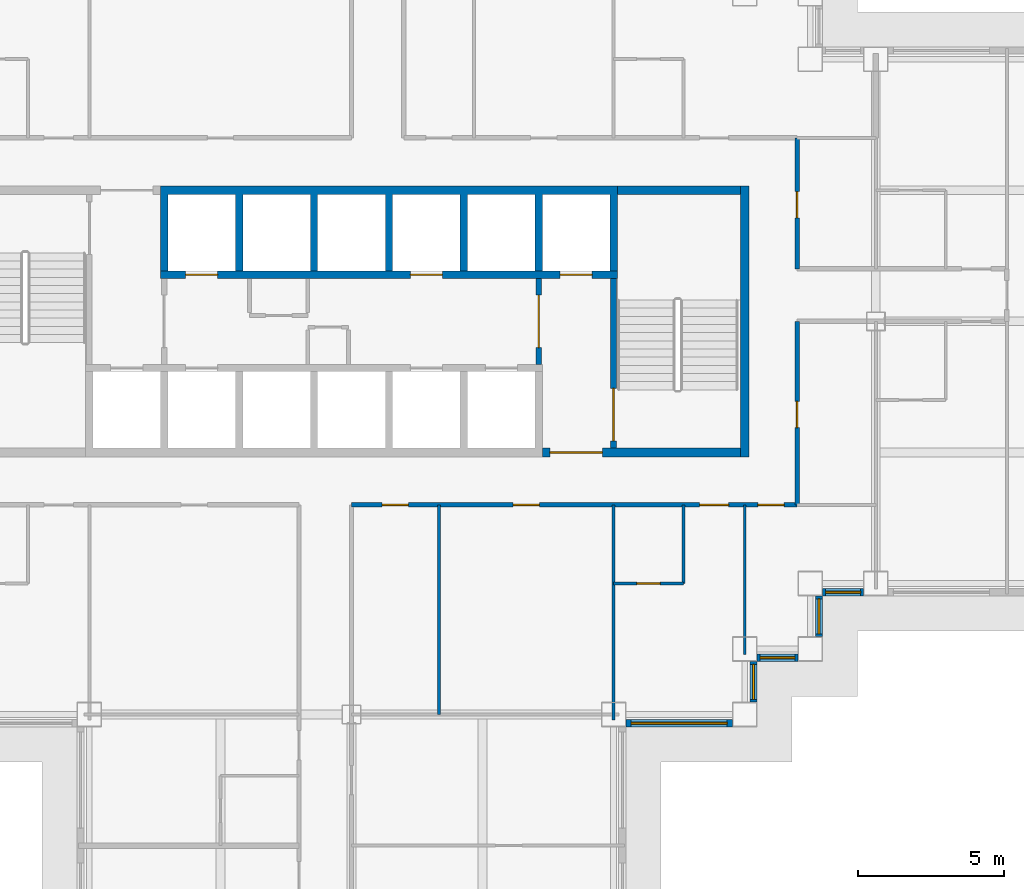
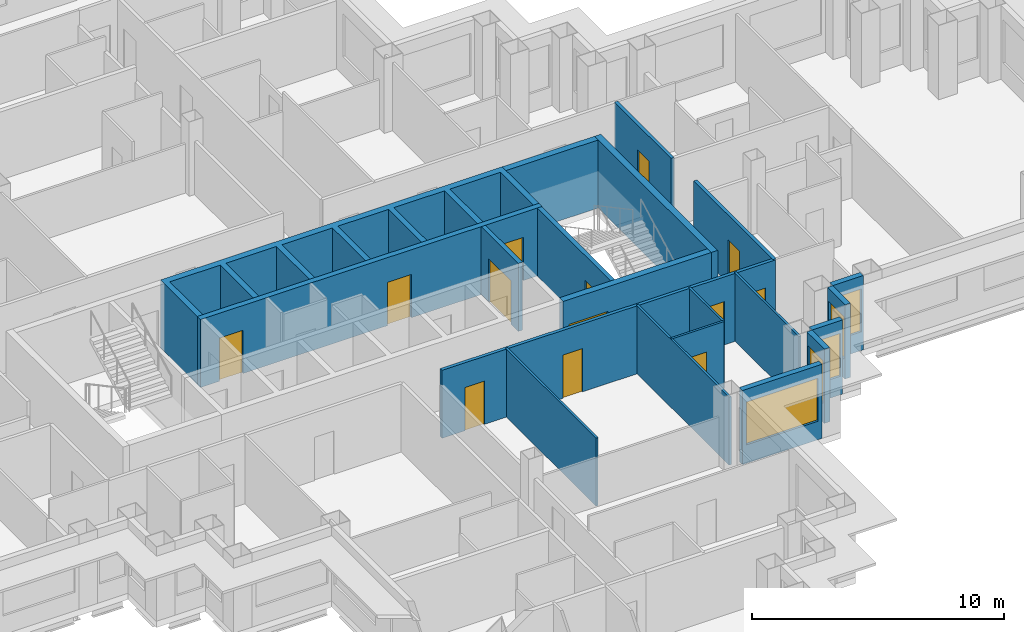
# One storey, part 7 of 16: 20 walls, 13 doors, 5 windows, 18 openings.
"""IFC4 building model written with IfcOpenShell, lengths in metres."""

from ifc_helpers import new_model, si_unit, direction, frame, frame_2d, origin, place, context, subcontext, project, spatial, polyline, rectangle, outline, extrude, material, layer, layer_set, type_object, element, fill, save


model = new_model("IFC4")

# Units and contexts
model_context = context("Model", 3, precision=1e-05, world=origin(), true_north=direction((0.0, 1.0)))
body_context = subcontext(model_context, "Body", "Model", "MODEL_VIEW")
ifc_project = project(units=[si_unit("LENGTHUNIT", "METRE"), si_unit("AREAUNIT", "SQUARE_METRE"), si_unit("VOLUMEUNIT", "CUBIC_METRE"), si_unit("PLANEANGLEUNIT", "RADIAN"), si_unit("MASSUNIT", "GRAM", prefix="KILO")], contexts=[model_context])

# Site, building, storey
site_placement = place(None, origin())
site = spatial("IfcSite", under=ifc_project, at=site_placement, CompositionType="ELEMENT")
building_placement = place(site_placement, origin())
building = spatial("IfcBuilding", under=site, at=building_placement, Name="Caravel Reach Hotel and Residences", CompositionType="ELEMENT")
storey_placement = place(building_placement, frame((0.0, 0.0, 133.199951171875)))
storey = spatial("IfcBuildingStorey", under=building, at=storey_placement, Name="L33", CompositionType="ELEMENT", Elevation=133.199951171875)

# Wall, opening, door
ifc_material_1 = material(Name="Gypsum board on steel stud", Category="steel")
ifc_layer_1 = layer(ifc_material_1, 0.10009765625)
ifc_layer_set_1 = layer_set([ifc_layer_1], Name="Bathroom pod wall 100 mm")
wall_type_1 = type_object("IfcWallType", Name="Bathroom pod wall 100 mm", PredefinedType="PARTITIONING", material=ifc_layer_set_1)
wall_1_placement = place(storey_placement, frame((40.5, 18.0, 0.0), z_axis=(0.0, 0.0, 1.0), x_axis=(1.0, 0.0, 0.0)))
wall_1 = element("IfcWall", 1, at=wall_1_placement, inside=storey, type_object=wall_type_1, Name="L33 wall w084", PredefinedType="PARTITIONING", context=body_context, shape_type="SweptSolid", body=[
    extrude(rectangle(XDim=2.39990234375, YDim=0.10009765625, at=frame_2d((1.199951171875, 0.0))), origin(), (0.0, 0.0, 1.0), 3.300048828125),
])
opening_1_placement = place(wall_1_placement, frame((0.800048828125, 0.0, 0.0)))
opening_1 = element("IfcOpeningElement", 2, at=opening_1_placement, cuts=wall_1, Name="Opening D33-055", PredefinedType="OPENING", context=body_context, shape_type="SweptSolid", body=[
    extrude(rectangle(XDim=0.800048828125, YDim=2.10009765625, at=frame_2d((0.39990234375, 1.050048828125))), frame((0.0, 0.06005859375, 0.0), z_axis=(0.0, -1.0, 0.0), x_axis=(1.0, 0.0, 0.0)), (0.0, 0.0, 1.0), 0.1201171875),
])
ifc_material_2 = material(Name="Timber and steel door leaf", Category="steel")
door_type_1 = type_object("IfcDoorType", Name="Bathroom door 800 x 2100", OperationType="SINGLE_SWING_LEFT", PredefinedType="DOOR", material=ifc_material_2)
door_1_placement = place(opening_1_placement, origin())
door_1 = element("IfcDoor", 3, at=door_1_placement, inside=storey, type_object=door_type_1, Name="door D33-055", OperationType="SINGLE_SWING_RIGHT", OverallHeight=2.10009765625, OverallWidth=0.800048828125, PredefinedType="DOOR", context=body_context, shape_type="SweptSolid", body=[
    extrude(rectangle(XDim=0.800048828125, YDim=2.10009765625, at=frame_2d((0.39990234375, 1.050048828125))), frame((0.0, 0.02490234375, 0.0), z_axis=(0.0, -1.0, 0.0), x_axis=(1.0, 0.0, 0.0)), (0.0, 0.0, 1.0), 0.050048828125),
])
fill(opening_1, door_1)

# Wall
wall_2_placement = place(storey_placement, frame((42.89990234375, 18.0, 0.0), z_axis=(0.0, 0.0, 1.0), x_axis=(0.0, 1.0, 0.0)))
element("IfcWall", 4, at=wall_2_placement, inside=storey, type_object=wall_type_1, Name="L33 wall w116", PredefinedType="PARTITIONING", context=body_context, shape_type="SweptSolid", body=[
    extrude(rectangle(XDim=2.699951171875, YDim=0.10009765625, at=frame_2d((1.35009765625, 0.0))), origin(), (0.0, 0.0, 1.0), 3.300048828125),
])

# Wall, opening, door
ifc_material_3 = material(Name="Concrete C60", Category="concrete")
ifc_layer_2 = layer(ifc_material_3, 0.300048828125)
ifc_layer_set_2 = layer_set([ifc_layer_2], Name="Core wall 300 mm EI 120")
wall_type_2 = type_object("IfcWallType", Name="Core wall 300 mm EI 120", PredefinedType="SHEAR", material=ifc_layer_set_2)
wall_3_placement = place(storey_placement, frame((38.053466796875, 22.5, 0.0), z_axis=(0.0, 0.0, 1.0), x_axis=(1.0, 0.0, 0.0)))
wall_3 = element("IfcWall", 5, at=wall_3_placement, inside=storey, type_object=wall_type_2, Name="L33 core wall S2", PredefinedType="SHEAR", context=body_context, shape_type="SweptSolid", body=[
    extrude(rectangle(XDim=6.796630859375, YDim=0.300048828125, at=frame_2d((3.3984375, 0.0))), origin(), (0.0, 0.0, 1.0), 3.300048828125),
])
opening_2_placement = place(wall_3_placement, frame((0.2607421875, 0.0, 0.0)))
opening_2 = element("IfcOpeningElement", 6, at=opening_2_placement, cuts=wall_3, Name="Opening D33-015", PredefinedType="OPENING", context=body_context, shape_type="SweptSolid", body=[
    extrude(rectangle(XDim=1.800048828125, YDim=2.10009765625, at=frame_2d((0.89990234375, 1.050048828125))), frame((0.0, 0.159912109375, 0.0), z_axis=(0.0, -1.0, 0.0), x_axis=(1.0, 0.0, 0.0)), (0.0, 0.0, 1.0), 0.320068359375),
])
ifc_material_4 = material(Name="Steel fire door leaf", Category="steel")
door_type_2 = type_object("IfcDoorType", Name="Fire lobby door pair 1800 x 2100 EI 90", OperationType="DOUBLE_DOOR_SINGLE_SWING", PredefinedType="DOOR", material=ifc_material_4)
door_2_placement = place(opening_2_placement, origin())
door_2 = element("IfcDoor", 7, at=door_2_placement, inside=storey, type_object=door_type_2, Name="lobby S door pair to corridor", OperationType="DOUBLE_DOOR_SINGLE_SWING", OverallHeight=2.10009765625, OverallWidth=1.800048828125, PredefinedType="DOOR", context=body_context, shape_type="SweptSolid", body=[
    extrude(rectangle(XDim=1.800048828125, YDim=2.10009765625, at=frame_2d((0.89990234375, 1.050048828125))), frame((0.0, 0.02490234375, 0.0), z_axis=(0.0, -1.0, 0.0), x_axis=(1.0, 0.0, 0.0)), (0.0, 0.0, 1.0), 0.050048828125),
])
fill(opening_2, door_2)

# Walls
wall_4_placement = place(storey_placement, frame((40.625, 31.5, 0.0), z_axis=(0.0, 0.0, 1.0), x_axis=(1.0, 0.0, 0.0)))
element("IfcWall", 8, at=wall_4_placement, inside=storey, type_object=wall_type_2, Name="L33 core wall N2", PredefinedType="SHEAR", context=body_context, shape_type="SweptSolid", body=[
    extrude(rectangle(XDim=4.22509765625, YDim=0.300048828125, at=frame_2d((2.112548828125, 0.0))), origin(), (0.0, 0.0, 1.0), 3.300048828125),
])
wall_5_placement = place(storey_placement, frame((45.0, 22.35009765625, 0.0), z_axis=(0.0, 0.0, 1.0), x_axis=(0.0, 1.0, 0.0)))
element("IfcWall", 9, at=wall_5_placement, inside=storey, type_object=wall_type_2, Name="L33 core wall E", PredefinedType="SHEAR", context=body_context, shape_type="SweptSolid", body=[
    extrude(rectangle(XDim=9.2998046875, YDim=0.300048828125, at=frame_2d((4.64990234375, 0.0))), origin(), (0.0, 0.0, 1.0), 3.300048828125),
])

# Wall, openings, doors
ifc_material_5 = material(Name="Gypsum board on steel stud, fire-rated", Category="steel")
ifc_layer_3 = layer(ifc_material_5, 0.14990234375)
ifc_layer_set_3 = layer_set([ifc_layer_3], Name="Corridor wall 150 mm EI 60")
wall_type_3 = type_object("IfcWallType", Name="Corridor wall 150 mm EI 60", PredefinedType="PARTITIONING", material=ifc_layer_set_3)
wall_6_placement = place(storey_placement, frame((31.5, 20.699951171875, 0.0), z_axis=(0.0, 0.0, 1.0), x_axis=(1.0, 0.0, 0.0)))
wall_6 = element("IfcWall", 10, at=wall_6_placement, inside=storey, type_object=wall_type_3, Name="L33 wall w004", PredefinedType="PARTITIONING", context=body_context, shape_type="SweptSolid", body=[
    extrude(rectangle(XDim=15.300048828125, YDim=0.14990234375, at=frame_2d((7.64990234375, 0.0))), origin(), (0.0, 0.0, 1.0), 3.300048828125),
])
opening_3_placement = place(wall_6_placement, frame((11.949951171875, 0.0, 0.0)))
opening_3 = element("IfcOpeningElement", 11, at=opening_3_placement, cuts=wall_6, Name="Opening D33-054", PredefinedType="OPENING", context=body_context, shape_type="SweptSolid", body=[
    extrude(rectangle(XDim=1.0, YDim=2.10009765625, at=frame_2d((0.5, 1.050048828125))), frame((0.0, 0.0849609375, 0.0), z_axis=(0.0, -1.0, 0.0), x_axis=(1.0, 0.0, 0.0)), (0.0, 0.0, 1.0), 0.169921875),
])
opening_4_placement = place(wall_6_placement, frame((13.949951171875, 0.0, 0.0)))
opening_4 = element("IfcOpeningElement", 12, at=opening_4_placement, cuts=wall_6, Name="Opening D33-056", PredefinedType="OPENING", context=body_context, shape_type="SweptSolid", body=[
    extrude(rectangle(XDim=0.89990234375, YDim=2.10009765625, at=frame_2d((0.449951171875, 1.050048828125))), frame((0.0, 0.0849609375, 0.0), z_axis=(0.0, -1.0, 0.0), x_axis=(1.0, 0.0, 0.0)), (0.0, 0.0, 1.0), 0.169921875),
])
opening_5_placement = place(wall_6_placement, frame((1.050048828125, 0.0, 0.0)))
opening_5 = element("IfcOpeningElement", 13, at=opening_5_placement, cuts=wall_6, Name="Opening D33-061", PredefinedType="OPENING", context=body_context, shape_type="SweptSolid", body=[
    extrude(rectangle(XDim=0.89990234375, YDim=2.10009765625, at=frame_2d((0.449951171875, 1.050048828125))), frame((0.0, 0.0849609375, 0.0), z_axis=(0.0, -1.0, 0.0), x_axis=(1.0, 0.0, 0.0)), (0.0, 0.0, 1.0), 0.169921875),
])
opening_6_placement = place(wall_6_placement, frame((5.550048828125, 0.0, 0.0)))
opening_6 = element("IfcOpeningElement", 14, at=opening_6_placement, cuts=wall_6, Name="Opening D33-062", PredefinedType="OPENING", context=body_context, shape_type="SweptSolid", body=[
    extrude(rectangle(XDim=0.89990234375, YDim=2.10009765625, at=frame_2d((0.449951171875, 1.050048828125))), frame((0.0, 0.0849609375, 0.0), z_axis=(0.0, -1.0, 0.0), x_axis=(1.0, 0.0, 0.0)), (0.0, 0.0, 1.0), 0.169921875),
])
ifc_material_6 = material(Name="Timber and steel door leaf", Category="steel")
door_type_3 = type_object("IfcDoorType", Name="Door 900 x 2100 timber", OperationType="SINGLE_SWING_LEFT", PredefinedType="DOOR", material=ifc_material_6)
door_3_placement = place(opening_4_placement, origin())
door_3 = element("IfcDoor", 15, at=door_3_placement, inside=storey, type_object=door_type_3, Name="door D33-056", OperationType="SINGLE_SWING_RIGHT", OverallHeight=2.10009765625, OverallWidth=0.89990234375, PredefinedType="DOOR", context=body_context, shape_type="SweptSolid", body=[
    extrude(rectangle(XDim=0.89990234375, YDim=2.10009765625, at=frame_2d((0.449951171875, 1.050048828125))), frame((0.0, 0.02490234375, 0.0), z_axis=(0.0, -1.0, 0.0), x_axis=(1.0, 0.0, 0.0)), (0.0, 0.0, 1.0), 0.050048828125),
])
fill(opening_4, door_3)
door_4_placement = place(opening_5_placement, origin())
door_4 = element("IfcDoor", 16, at=door_4_placement, inside=storey, type_object=door_type_3, Name="door D33-061", OperationType="SINGLE_SWING_LEFT", OverallHeight=2.10009765625, OverallWidth=0.89990234375, PredefinedType="DOOR", context=body_context, shape_type="SweptSolid", body=[
    extrude(rectangle(XDim=0.89990234375, YDim=2.10009765625, at=frame_2d((0.449951171875, 1.050048828125))), frame((0.0, 0.02490234375, 0.0), z_axis=(0.0, -1.0, 0.0), x_axis=(1.0, 0.0, 0.0)), (0.0, 0.0, 1.0), 0.050048828125),
])
fill(opening_5, door_4)
door_5_placement = place(opening_6_placement, origin())
door_5 = element("IfcDoor", 17, at=door_5_placement, inside=storey, type_object=door_type_3, Name="door D33-062", OperationType="SINGLE_SWING_LEFT", OverallHeight=2.10009765625, OverallWidth=0.89990234375, PredefinedType="DOOR", context=body_context, shape_type="SweptSolid", body=[
    extrude(rectangle(XDim=0.89990234375, YDim=2.10009765625, at=frame_2d((0.449951171875, 1.050048828125))), frame((0.0, 0.02490234375, 0.0), z_axis=(0.0, -1.0, 0.0), x_axis=(1.0, 0.0, 0.0)), (0.0, 0.0, 1.0), 0.050048828125),
])
fill(opening_6, door_5)
ifc_material_7 = material(Name="Steel fire door leaf", Category="steel")
door_type_4 = type_object("IfcDoorType", Name="Guest room door 1000 x 2100 EI 30", OperationType="SINGLE_SWING_LEFT", PredefinedType="DOOR", material=ifc_material_7)
door_6_placement = place(opening_3_placement, origin())
door_6 = element("IfcDoor", 18, at=door_6_placement, inside=storey, type_object=door_type_4, Name="door D33-054", OperationType="SINGLE_SWING_RIGHT", OverallHeight=2.10009765625, OverallWidth=1.0, PredefinedType="DOOR", context=body_context, shape_type="SweptSolid", body=[
    extrude(rectangle(XDim=1.0, YDim=2.10009765625, at=frame_2d((0.5, 1.050048828125))), frame((0.0, 0.02490234375, 0.0), z_axis=(0.0, -1.0, 0.0), x_axis=(1.0, 0.0, 0.0)), (0.0, 0.0, 1.0), 0.050048828125),
])
fill(opening_3, door_6)

# Wall, opening, door
wall_7_placement = place(storey_placement, frame((46.800048828125, 28.800048828125, 0.0), z_axis=(0.0, 0.0, 1.0), x_axis=(0.0, 1.0, 0.0)))
wall_7 = element("IfcWall", 19, at=wall_7_placement, inside=storey, type_object=wall_type_3, Name="L33 wall w039", PredefinedType="PARTITIONING", context=body_context, shape_type="SweptSolid", body=[
    extrude(rectangle(XDim=4.5, YDim=0.14990234375, at=frame_2d((2.25, 0.0))), origin(), (0.0, 0.0, 1.0), 3.300048828125),
])
opening_7_placement = place(wall_7_placement, frame((1.75, 0.0, 0.0)))
opening_7 = element("IfcOpeningElement", 20, at=opening_7_placement, cuts=wall_7, Name="Opening D33-066", PredefinedType="OPENING", context=body_context, shape_type="SweptSolid", body=[
    extrude(rectangle(XDim=0.89990234375, YDim=2.10009765625, at=frame_2d((0.449951171875, 1.050048828125))), frame((0.0, 0.0849609375, 0.0), z_axis=(0.0, -1.0, 0.0), x_axis=(1.0, 0.0, 0.0)), (0.0, 0.0, 1.0), 0.169921875),
])
door_7_placement = place(opening_7_placement, origin())
door_7 = element("IfcDoor", 21, at=door_7_placement, inside=storey, type_object=door_type_3, Name="door D33-066", OperationType="SINGLE_SWING_RIGHT", OverallHeight=2.10009765625, OverallWidth=0.89990234375, PredefinedType="DOOR", context=body_context, shape_type="SweptSolid", body=[
    extrude(rectangle(XDim=0.89990234375, YDim=2.10009765625, at=frame_2d((0.449951171875, 1.050048828125))), frame((0.0, 0.02490234375, 0.0), z_axis=(0.0, -1.0, 0.0), x_axis=(1.0, 0.0, 0.0)), (0.0, 0.0, 1.0), 0.050048828125),
])
fill(opening_7, door_7)

wall_8_placement = place(storey_placement, frame((46.800048828125, 20.699951171875, 0.0), z_axis=(0.0, 0.0, 1.0), x_axis=(0.0, 1.0, 0.0)))
wall_8 = element("IfcWall", 22, at=wall_8_placement, inside=storey, type_object=wall_type_3, Name="L33 wall w040", PredefinedType="PARTITIONING", context=body_context, shape_type="SweptSolid", body=[
    extrude(rectangle(XDim=6.300048828125, YDim=0.14990234375, at=frame_2d((3.14990234375, 0.0))), origin(), (0.0, 0.0, 1.0), 3.300048828125),
])
opening_8_placement = place(wall_8_placement, frame((2.64990234375, 0.0, 0.0)))
opening_8 = element("IfcOpeningElement", 23, at=opening_8_placement, cuts=wall_8, Name="Opening D33-065", PredefinedType="OPENING", context=body_context, shape_type="SweptSolid", body=[
    extrude(rectangle(XDim=0.89990234375, YDim=2.10009765625, at=frame_2d((0.449951171875, 1.050048828125))), frame((0.0, 0.0849609375, 0.0), z_axis=(0.0, -1.0, 0.0), x_axis=(1.0, 0.0, 0.0)), (0.0, 0.0, 1.0), 0.169921875),
])
door_8_placement = place(opening_8_placement, origin())
door_8 = element("IfcDoor", 24, at=door_8_placement, inside=storey, type_object=door_type_3, Name="door D33-065", OperationType="SINGLE_SWING_LEFT", OverallHeight=2.10009765625, OverallWidth=0.89990234375, PredefinedType="DOOR", context=body_context, shape_type="SweptSolid", body=[
    extrude(rectangle(XDim=0.89990234375, YDim=2.10009765625, at=frame_2d((0.449951171875, 1.050048828125))), frame((0.0, 0.02490234375, 0.0), z_axis=(0.0, -1.0, 0.0), x_axis=(1.0, 0.0, 0.0)), (0.0, 0.0, 1.0), 0.050048828125),
])
fill(opening_8, door_8)

# Wall, opening, window
ifc_material_8 = material(Name="Insulated rainscreen wall, aluminium cladding", Category="aluminium")
ifc_layer_4 = layer(ifc_material_8, 0.25)
ifc_layer_set_4 = layer_set([ifc_layer_4], Name="EW1 Tower rainscreen wall")
wall_type_4 = type_object("IfcWallType", Name="EW1 Tower rainscreen wall", PredefinedType="SOLIDWALL", material=ifc_layer_set_4)
wall_9_placement = place(storey_placement, frame((40.925048828125, 13.199951171875, 0.0), z_axis=(0.0, 0.0, 1.0), x_axis=(1.0, 0.0, 0.0)))
wall_9 = element("IfcWall", 25, at=wall_9_placement, inside=storey, type_object=wall_type_4, Name="External wall L33 S11.1", PredefinedType="SOLIDWALL", context=body_context, shape_type="SweptSolid", body=[
    extrude(rectangle(XDim=3.64990234375, YDim=0.25, at=frame_2d((1.824951171875, 0.0))), origin(), (0.0, 0.0, 1.0), 3.60009765625),
])
opening_9_placement = place(wall_9_placement, frame((0.175048828125, 0.0, 0.89990234375)))
opening_9 = element("IfcOpeningElement", 26, at=opening_9_placement, cuts=wall_9, Name="Opening WN4", PredefinedType="OPENING", context=body_context, shape_type="SweptSolid", body=[
    extrude(rectangle(XDim=3.300048828125, YDim=2.080078125, at=frame_2d((1.64990234375, 1.0400390625))), frame((0.0, 0.135009765625, 0.0), z_axis=(0.0, -1.0, 0.0), x_axis=(1.0, 0.0, 0.0)), (0.0, 0.0, 1.0), 0.27001953125),
])
ifc_material_9 = material(Name="Dark low-e glazing in black aluminium frame", Category="aluminium")
window_type_1 = type_object("IfcWindowType", Name="Hotel guest room window 3300 x 2080", PartitioningType="SINGLE_PANEL", PredefinedType="WINDOW", material=ifc_material_9)
window_1_placement = place(opening_9_placement, origin())
window_1 = element("IfcWindow", 27, at=window_1_placement, inside=storey, type_object=window_type_1, Name="Window L33 S11.1.1", OverallHeight=2.080078125, OverallWidth=3.300048828125, PartitioningType="SINGLE_PANEL", PredefinedType="WINDOW", context=body_context, shape_type="SweptSolid", body=[
    extrude(rectangle(XDim=3.300048828125, YDim=2.080078125, at=frame_2d((1.64990234375, 1.0400390625))), frame((0.0, 0.030029296875, 0.0), z_axis=(0.0, -1.0, 0.0), x_axis=(1.0, 0.0, 0.0)), (0.0, 0.0, 1.0), 0.06005859375),
])
fill(opening_9, window_1)

wall_10_placement = place(storey_placement, frame((45.300048828125, 13.925048828125, 0.0), z_axis=(0.0, 0.0, 1.0), x_axis=(0.0, 1.0, 0.0)))
wall_10 = element("IfcWall", 28, at=wall_10_placement, inside=storey, type_object=wall_type_4, Name="External wall L33 E12.1", PredefinedType="SOLIDWALL", context=body_context, shape_type="SweptSolid", body=[
    extrude(rectangle(XDim=1.39990234375, YDim=0.25, at=frame_2d((0.699951171875, 0.0))), origin(), (0.0, 0.0, 1.0), 3.60009765625),
])
opening_10_placement = place(wall_10_placement, frame((0.10009765625, 0.0, 0.89990234375)))
opening_10 = element("IfcOpeningElement", 29, at=opening_10_placement, cuts=wall_10, Name="Opening WN9", PredefinedType="OPENING", context=body_context, shape_type="SweptSolid", body=[
    extrude(rectangle(XDim=1.199951171875, YDim=2.080078125, at=frame_2d((0.60009765625, 1.0400390625))), frame((0.0, 0.135009765625, 0.0), z_axis=(0.0, -1.0, 0.0), x_axis=(1.0, 0.0, 0.0)), (0.0, 0.0, 1.0), 0.27001953125),
])
ifc_material_10 = material(Name="Dark low-e glazing in black aluminium frame", Category="aluminium")
window_type_2 = type_object("IfcWindowType", Name="Hotel suite corner window 1200 x 2080", PartitioningType="SINGLE_PANEL", PredefinedType="WINDOW", material=ifc_material_10)
window_2_placement = place(opening_10_placement, origin())
window_2 = element("IfcWindow", 30, at=window_2_placement, inside=storey, type_object=window_type_2, Name="Window L33 E12.1.1", OverallHeight=2.080078125, OverallWidth=1.199951171875, PartitioningType="SINGLE_PANEL", PredefinedType="WINDOW", context=body_context, shape_type="SweptSolid", body=[
    extrude(rectangle(XDim=1.199951171875, YDim=2.080078125, at=frame_2d((0.60009765625, 1.0400390625))), frame((0.0, 0.030029296875, 0.0), z_axis=(0.0, -1.0, 0.0), x_axis=(1.0, 0.0, 0.0)), (0.0, 0.0, 1.0), 0.06005859375),
])
fill(opening_10, window_2)

wall_11_placement = place(storey_placement, frame((45.425048828125, 15.449951171875, 0.0), z_axis=(0.0, 0.0, 1.0), x_axis=(1.0, 0.0, 0.0)))
wall_11 = element("IfcWall", 31, at=wall_11_placement, inside=storey, type_object=wall_type_4, Name="External wall L33 S13.1", PredefinedType="SOLIDWALL", context=body_context, shape_type="SweptSolid", body=[
    extrude(rectangle(XDim=1.39990234375, YDim=0.25, at=frame_2d((0.699951171875, 0.0))), origin(), (0.0, 0.0, 1.0), 3.60009765625),
])
opening_11_placement = place(wall_11_placement, frame((0.10009765625, 0.0, 0.89990234375)))
opening_11 = element("IfcOpeningElement", 32, at=opening_11_placement, cuts=wall_11, Name="Opening WN9", PredefinedType="OPENING", context=body_context, shape_type="SweptSolid", body=[
    extrude(rectangle(XDim=1.199951171875, YDim=2.080078125, at=frame_2d((0.60009765625, 1.0400390625))), frame((0.0, 0.135009765625, 0.0), z_axis=(0.0, -1.0, 0.0), x_axis=(1.0, 0.0, 0.0)), (0.0, 0.0, 1.0), 0.27001953125),
])
window_3_placement = place(opening_11_placement, origin())
window_3 = element("IfcWindow", 33, at=window_3_placement, inside=storey, type_object=window_type_2, Name="Window L33 S13.1.1", OverallHeight=2.080078125, OverallWidth=1.199951171875, PartitioningType="SINGLE_PANEL", PredefinedType="WINDOW", context=body_context, shape_type="SweptSolid", body=[
    extrude(rectangle(XDim=1.199951171875, YDim=2.080078125, at=frame_2d((0.60009765625, 1.0400390625))), frame((0.0, 0.030029296875, 0.0), z_axis=(0.0, -1.0, 0.0), x_axis=(1.0, 0.0, 0.0)), (0.0, 0.0, 1.0), 0.06005859375),
])
fill(opening_11, window_3)

wall_12_placement = place(storey_placement, frame((47.550048828125, 16.175048828125, 0.0), z_axis=(0.0, 0.0, 1.0), x_axis=(0.0, 1.0, 0.0)))
wall_12 = element("IfcWall", 34, at=wall_12_placement, inside=storey, type_object=wall_type_4, Name="External wall L33 E14.1", PredefinedType="SOLIDWALL", context=body_context, shape_type="SweptSolid", body=[
    extrude(rectangle(XDim=1.39990234375, YDim=0.25, at=frame_2d((0.699951171875, 0.0))), origin(), (0.0, 0.0, 1.0), 3.60009765625),
])
opening_12_placement = place(wall_12_placement, frame((0.10009765625, 0.0, 0.89990234375)))
opening_12 = element("IfcOpeningElement", 35, at=opening_12_placement, cuts=wall_12, Name="Opening WN9", PredefinedType="OPENING", context=body_context, shape_type="SweptSolid", body=[
    extrude(rectangle(XDim=1.199951171875, YDim=2.080078125, at=frame_2d((0.60009765625, 1.0400390625))), frame((0.0, 0.135009765625, 0.0), z_axis=(0.0, -1.0, 0.0), x_axis=(1.0, 0.0, 0.0)), (0.0, 0.0, 1.0), 0.27001953125),
])
window_4_placement = place(opening_12_placement, origin())
window_4 = element("IfcWindow", 36, at=window_4_placement, inside=storey, type_object=window_type_2, Name="Window L33 E14.1.1", OverallHeight=2.080078125, OverallWidth=1.199951171875, PartitioningType="SINGLE_PANEL", PredefinedType="WINDOW", context=body_context, shape_type="SweptSolid", body=[
    extrude(rectangle(XDim=1.199951171875, YDim=2.080078125, at=frame_2d((0.60009765625, 1.0400390625))), frame((0.0, 0.030029296875, 0.0), z_axis=(0.0, -1.0, 0.0), x_axis=(1.0, 0.0, 0.0)), (0.0, 0.0, 1.0), 0.06005859375),
])
fill(opening_12, window_4)

wall_13_placement = place(storey_placement, frame((47.675048828125, 17.699951171875, 0.0), z_axis=(0.0, 0.0, 1.0), x_axis=(1.0, 0.0, 0.0)))
wall_13 = element("IfcWall", 37, at=wall_13_placement, inside=storey, type_object=wall_type_4, Name="External wall L33 S15.1", PredefinedType="SOLIDWALL", context=body_context, shape_type="SweptSolid", body=[
    extrude(rectangle(XDim=1.39990234375, YDim=0.25, at=frame_2d((0.699951171875, 0.0))), origin(), (0.0, 0.0, 1.0), 3.60009765625),
])
opening_13_placement = place(wall_13_placement, frame((0.10009765625, 0.0, 0.89990234375)))
opening_13 = element("IfcOpeningElement", 38, at=opening_13_placement, cuts=wall_13, Name="Opening WN9", PredefinedType="OPENING", context=body_context, shape_type="SweptSolid", body=[
    extrude(rectangle(XDim=1.199951171875, YDim=2.080078125, at=frame_2d((0.60009765625, 1.0400390625))), frame((0.0, 0.135009765625, 0.0), z_axis=(0.0, -1.0, 0.0), x_axis=(1.0, 0.0, 0.0)), (0.0, 0.0, 1.0), 0.27001953125),
])
window_5_placement = place(opening_13_placement, origin())
window_5 = element("IfcWindow", 39, at=window_5_placement, inside=storey, type_object=window_type_2, Name="Window L33 S15.1.1", OverallHeight=2.080078125, OverallWidth=1.199951171875, PartitioningType="SINGLE_PANEL", PredefinedType="WINDOW", context=body_context, shape_type="SweptSolid", body=[
    extrude(rectangle(XDim=1.199951171875, YDim=2.080078125, at=frame_2d((0.60009765625, 1.0400390625))), frame((0.0, 0.030029296875, 0.0), z_axis=(0.0, -1.0, 0.0), x_axis=(1.0, 0.0, 0.0)), (0.0, 0.0, 1.0), 0.06005859375),
])
fill(opening_13, window_5)

# Wall, opening, door
ifc_material_11 = material(Name="Autoclaved aerated block wall")
ifc_layer_5 = layer(ifc_material_11, 0.199951171875)
ifc_layer_set_5 = layer_set([ifc_layer_5], Name="Fire lobby wall 200 mm EI 120")
wall_type_5 = type_object("IfcWallType", Name="Fire lobby wall 200 mm EI 120", PredefinedType="PARTITIONING", material=ifc_layer_set_5)
wall_14_placement = place(storey_placement, frame((37.928466796875, 25.52490234375, 0.0), z_axis=(0.0, 0.0, 1.0), x_axis=(0.0, 1.0, 0.0)))
wall_14 = element("IfcWall", 40, at=wall_14_placement, inside=storey, type_object=wall_type_5, Name="L33 lobby E wall", PredefinedType="PARTITIONING", context=body_context, shape_type="SweptSolid", body=[
    extrude(rectangle(XDim=2.9501953125, YDim=0.199951171875, at=frame_2d((1.47509765625, 0.0))), origin(), (0.0, 0.0, 1.0), 3.300048828125),
])
opening_14_placement = place(wall_14_placement, frame((0.574951171875, 0.0, 0.0)))
opening_14 = element("IfcOpeningElement", 41, at=opening_14_placement, cuts=wall_14, Name="Opening D33-013", PredefinedType="OPENING", context=body_context, shape_type="SweptSolid", body=[
    extrude(rectangle(XDim=1.800048828125, YDim=2.10009765625, at=frame_2d((0.89990234375, 1.050048828125))), frame((0.0, 0.10986328125, 0.0), z_axis=(0.0, -1.0, 0.0), x_axis=(1.0, 0.0, 0.0)), (0.0, 0.0, 1.0), 0.219970703125),
])
door_9_placement = place(opening_14_placement, origin())
door_9 = element("IfcDoor", 42, at=door_9_placement, inside=storey, type_object=door_type_2, Name="lobby E door pair", OperationType="DOUBLE_DOOR_SINGLE_SWING", OverallHeight=2.10009765625, OverallWidth=1.800048828125, PredefinedType="DOOR", context=body_context, shape_type="SweptSolid", body=[
    extrude(rectangle(XDim=1.800048828125, YDim=2.10009765625, at=frame_2d((0.89990234375, 1.050048828125))), frame((0.0, 0.02490234375, 0.0), z_axis=(0.0, -1.0, 0.0), x_axis=(1.0, 0.0, 0.0)), (0.0, 0.0, 1.0), 0.050048828125),
])
fill(opening_14, door_9)

# Walls
ifc_material_12 = material(Name="Gypsum board on steel stud", Category="steel")
ifc_layer_6 = layer(ifc_material_12, 0.10009765625)
ifc_layer_set_6 = layer_set([ifc_layer_6], Name="Partition 100 mm")
wall_type_6 = type_object("IfcWallType", Name="Partition 100 mm", PredefinedType="PARTITIONING", material=ifc_layer_set_6)
wall_15_placement = place(storey_placement, frame((34.5, 13.5, 0.0), z_axis=(0.0, 0.0, 1.0), x_axis=(0.0, 1.0, 0.0)))
element("IfcWall", 43, at=wall_15_placement, inside=storey, type_object=wall_type_6, Name="L33 wall w059", PredefinedType="PARTITIONING", context=body_context, shape_type="SweptSolid", body=[
    extrude(rectangle(XDim=7.199951171875, YDim=0.10009765625, at=frame_2d((3.60009765625, 0.0))), origin(), (0.0, 0.0, 1.0), 3.300048828125),
])
wall_16_placement = place(storey_placement, frame((40.5, 13.31005859375, 0.0), z_axis=(0.0, 0.0, 1.0), x_axis=(0.0, 1.0, 0.0)))
element("IfcWall", 44, at=wall_16_placement, inside=storey, type_object=wall_type_6, Name="L33 wall w062", PredefinedType="PARTITIONING", context=body_context, shape_type="SweptSolid", body=[
    extrude(rectangle(XDim=7.389892578125, YDim=0.10009765625, at=frame_2d((3.69482421875, 0.0))), origin(), (0.0, 0.0, 1.0), 3.300048828125),
])
wall_17_placement = place(storey_placement, frame((45.0, 15.56005859375, 0.0), z_axis=(0.0, 0.0, 1.0), x_axis=(0.0, 1.0, 0.0)))
element("IfcWall", 45, at=wall_17_placement, inside=storey, type_object=wall_type_6, Name="L33 wall w063", PredefinedType="PARTITIONING", context=body_context, shape_type="SweptSolid", body=[
    extrude(rectangle(XDim=5.139892578125, YDim=0.10009765625, at=frame_2d((2.56982421875, 0.0))), origin(), (0.0, 0.0, 1.0), 3.300048828125),
])
ifc_material_13 = material(Name="Concrete C60", Category="concrete")
ifc_layer_7 = layer(ifc_material_13, 0.25)
ifc_layer_set_7 = layer_set([ifc_layer_7], Name="Shaft wall 250 mm EI 120")
wall_type_7 = type_object("IfcWallType", Name="Shaft wall 250 mm EI 120", PredefinedType="SHEAR", material=ifc_layer_set_7)
wall_18_placement = place(storey_placement, origin())
element("IfcWall", 46, at=wall_18_placement, inside=storey, type_object=wall_type_7, Name="L33 lift shaft wall N1", PredefinedType="SHEAR", context=body_context, shape_type="SweptSolid", body=[
    extrude(outline(polyline([(24.946533203125, 28.72509765625), (25.196533203125, 28.72509765625), (25.196533203125, 31.35009765625), (27.517822265625, 31.35009765625), (27.517822265625, 28.72509765625), (27.767822265625, 28.72509765625), (27.767822265625, 31.35009765625), (30.08935546875, 31.35009765625), (30.08935546875, 28.72509765625), (30.33935546875, 28.72509765625), (30.33935546875, 31.35009765625), (32.66064453125, 31.35009765625), (32.66064453125, 28.72509765625), (32.91064453125, 28.72509765625), (32.91064453125, 31.35009765625), (35.232177734375, 31.35009765625), (35.232177734375, 28.72509765625), (35.482177734375, 28.72509765625), (35.482177734375, 31.35009765625), (37.803466796875, 31.35009765625), (37.803466796875, 28.72509765625), (38.053466796875, 28.72509765625), (38.053466796875, 31.35009765625), (40.375, 31.35009765625), (40.375, 28.72509765625), (40.625, 28.72509765625), (40.625, 31.64990234375), (24.946533203125, 31.64990234375), (24.946533203125, 28.72509765625)])), origin(), (0.0, 0.0, 1.0), 3.300048828125),
])

# Wall, openings, doors
wall_19_placement = place(storey_placement, frame((24.946533203125, 28.60009765625, 0.0), z_axis=(0.0, 0.0, 1.0), x_axis=(1.0, 0.0, 0.0)))
wall_19 = element("IfcWall", 47, at=wall_19_placement, inside=storey, type_object=wall_type_7, Name="L33 lobby wall N1", PredefinedType="SHEAR", context=body_context, shape_type="SweptSolid", body=[
    extrude(rectangle(XDim=15.678466796875, YDim=0.25, at=frame_2d((7.83935546875, 0.0))), origin(), (0.0, 0.0, 1.0), 3.300048828125),
])
opening_15_placement = place(wall_19_placement, frame((0.860595703125, 0.0, 0.0)))
opening_15 = element("IfcOpeningElement", 48, at=opening_15_placement, cuts=wall_19, Name="Opening D33-004", PredefinedType="OPENING", context=body_context, shape_type="SweptSolid", body=[
    extrude(rectangle(XDim=1.10009765625, YDim=2.10009765625, at=frame_2d((0.550048828125, 1.050048828125))), frame((0.0, 0.135009765625, 0.0), z_axis=(0.0, -1.0, 0.0), x_axis=(1.0, 0.0, 0.0)), (0.0, 0.0, 1.0), 0.27001953125),
])
opening_16_placement = place(wall_19_placement, frame((8.574951171875, 0.0, 0.0)))
opening_16 = element("IfcOpeningElement", 49, at=opening_16_placement, cuts=wall_19, Name="Opening D33-005", PredefinedType="OPENING", context=body_context, shape_type="SweptSolid", body=[
    extrude(rectangle(XDim=1.10009765625, YDim=2.10009765625, at=frame_2d((0.550048828125, 1.050048828125))), frame((0.0, 0.135009765625, 0.0), z_axis=(0.0, -1.0, 0.0), x_axis=(1.0, 0.0, 0.0)), (0.0, 0.0, 1.0), 0.27001953125),
])
opening_17_placement = place(wall_19_placement, frame((13.718017578125, 0.0, 0.0)))
opening_17 = element("IfcOpeningElement", 50, at=opening_17_placement, cuts=wall_19, Name="Opening D33-007", PredefinedType="OPENING", context=body_context, shape_type="SweptSolid", body=[
    extrude(rectangle(XDim=1.10009765625, YDim=2.10009765625, at=frame_2d((0.550048828125, 1.050048828125))), frame((0.0, 0.135009765625, 0.0), z_axis=(0.0, -1.0, 0.0), x_axis=(1.0, 0.0, 0.0)), (0.0, 0.0, 1.0), 0.27001953125),
])
ifc_material_14 = material(Name="Stainless steel landing door", Category="steel")
door_type_5 = type_object("IfcDoorType", Name="Landing door LD 1100 x 2100 sliding", OperationType="DOUBLE_DOOR_SLIDING", PredefinedType="DOOR", material=ifc_material_14)
door_10_placement = place(opening_15_placement, origin())
door_10 = element("IfcDoor", 51, at=door_10_placement, inside=storey, type_object=door_type_5, Name="LP4 landing door", OperationType="DOUBLE_DOOR_SLIDING", OverallHeight=2.10009765625, OverallWidth=1.10009765625, PredefinedType="DOOR", context=body_context, shape_type="SweptSolid", body=[
    extrude(rectangle(XDim=1.10009765625, YDim=2.10009765625, at=frame_2d((0.550048828125, 1.050048828125))), frame((0.0, 0.02490234375, 0.0), z_axis=(0.0, -1.0, 0.0), x_axis=(1.0, 0.0, 0.0)), (0.0, 0.0, 1.0), 0.050048828125),
])
fill(opening_15, door_10)
door_11_placement = place(opening_16_placement, origin())
door_11 = element("IfcDoor", 52, at=door_11_placement, inside=storey, type_object=door_type_5, Name="LP5 landing door", OperationType="DOUBLE_DOOR_SLIDING", OverallHeight=2.10009765625, OverallWidth=1.10009765625, PredefinedType="DOOR", context=body_context, shape_type="SweptSolid", body=[
    extrude(rectangle(XDim=1.10009765625, YDim=2.10009765625, at=frame_2d((0.550048828125, 1.050048828125))), frame((0.0, 0.02490234375, 0.0), z_axis=(0.0, -1.0, 0.0), x_axis=(1.0, 0.0, 0.0)), (0.0, 0.0, 1.0), 0.050048828125),
])
fill(opening_16, door_11)
door_12_placement = place(opening_17_placement, origin())
door_12 = element("IfcDoor", 53, at=door_12_placement, inside=storey, type_object=door_type_5, Name="FL2 landing door", OperationType="DOUBLE_DOOR_SLIDING", OverallHeight=2.10009765625, OverallWidth=1.10009765625, PredefinedType="DOOR", context=body_context, shape_type="SweptSolid", body=[
    extrude(rectangle(XDim=1.10009765625, YDim=2.10009765625, at=frame_2d((0.550048828125, 1.050048828125))), frame((0.0, 0.02490234375, 0.0), z_axis=(0.0, -1.0, 0.0), x_axis=(1.0, 0.0, 0.0)), (0.0, 0.0, 1.0), 0.050048828125),
])
fill(opening_17, door_12)

# Wall, opening, door
ifc_material_15 = material(Name="Concrete C60", Category="concrete")
ifc_layer_8 = layer(ifc_material_15, 0.199951171875)
ifc_layer_set_8 = layer_set([ifc_layer_8], Name="Stair enclosure wall 200 mm EI 120")
wall_type_8 = type_object("IfcWallType", Name="Stair enclosure wall 200 mm EI 120", PredefinedType="SHEAR", material=ifc_layer_set_8)
wall_20_placement = place(storey_placement, frame((40.5, 22.64990234375, 0.0), z_axis=(0.0, 0.0, 1.0), x_axis=(0.0, 1.0, 0.0)))
wall_20 = element("IfcWall", 54, at=wall_20_placement, inside=storey, type_object=wall_type_8, Name="L33 stair B wall", PredefinedType="SHEAR", context=body_context, shape_type="SweptSolid", body=[
    extrude(rectangle(XDim=5.8251953125, YDim=0.199951171875, at=frame_2d((2.91259765625, 0.0))), origin(), (0.0, 0.0, 1.0), 3.300048828125),
])
opening_18_placement = place(wall_20_placement, frame((0.25, 0.0, 0.0)))
opening_18 = element("IfcOpeningElement", 55, at=opening_18_placement, cuts=wall_20, Name="Opening D33-011", PredefinedType="OPENING", context=body_context, shape_type="SweptSolid", body=[
    extrude(rectangle(XDim=1.800048828125, YDim=2.10009765625, at=frame_2d((0.89990234375, 1.050048828125))), frame((0.0, 0.10986328125, 0.0), z_axis=(0.0, -1.0, 0.0), x_axis=(1.0, 0.0, 0.0)), (0.0, 0.0, 1.0), 0.219970703125),
])
ifc_material_16 = material(Name="Steel fire door leaf", Category="steel")
door_type_6 = type_object("IfcDoorType", Name="Stair door pair 1800 x 2100 EI 90", OperationType="DOUBLE_DOOR_SINGLE_SWING", PredefinedType="DOOR", material=ifc_material_16)
door_13_placement = place(opening_18_placement, origin())
door_13 = element("IfcDoor", 56, at=door_13_placement, inside=storey, type_object=door_type_6, Name="stair B door pair", OperationType="DOUBLE_DOOR_SINGLE_SWING", OverallHeight=2.10009765625, OverallWidth=1.800048828125, PredefinedType="DOOR", context=body_context, shape_type="SweptSolid", body=[
    extrude(rectangle(XDim=1.800048828125, YDim=2.10009765625, at=frame_2d((0.89990234375, 1.050048828125))), frame((0.0, 0.02490234375, 0.0), z_axis=(0.0, -1.0, 0.0), x_axis=(1.0, 0.0, 0.0)), (0.0, 0.0, 1.0), 0.050048828125),
])
fill(opening_18, door_13)

save(model, "model.ifc")
